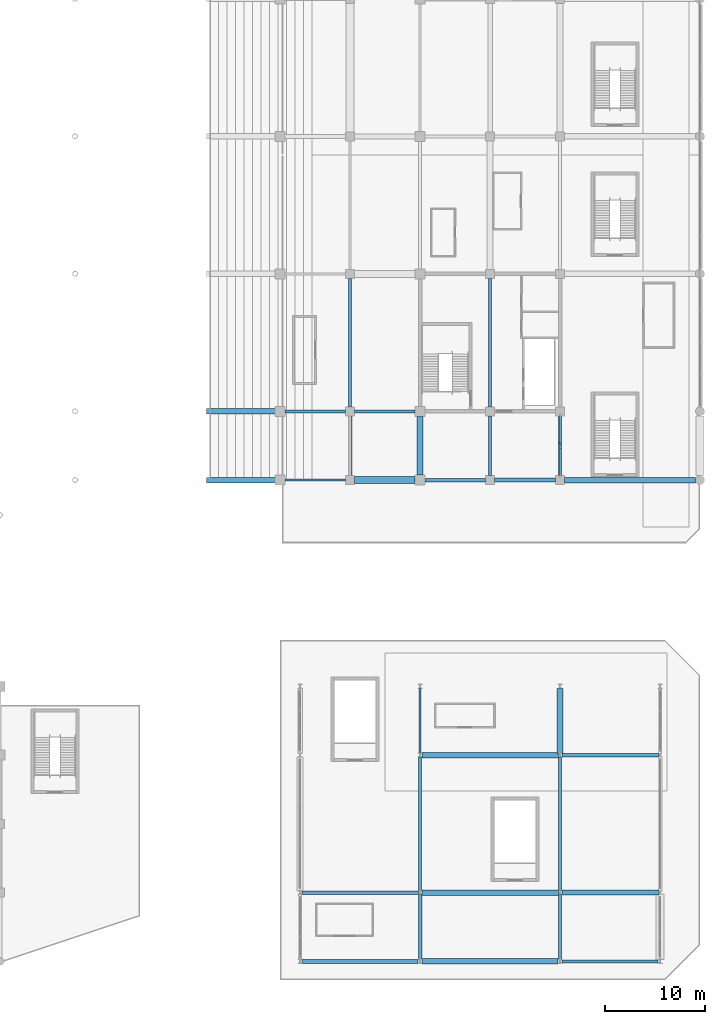
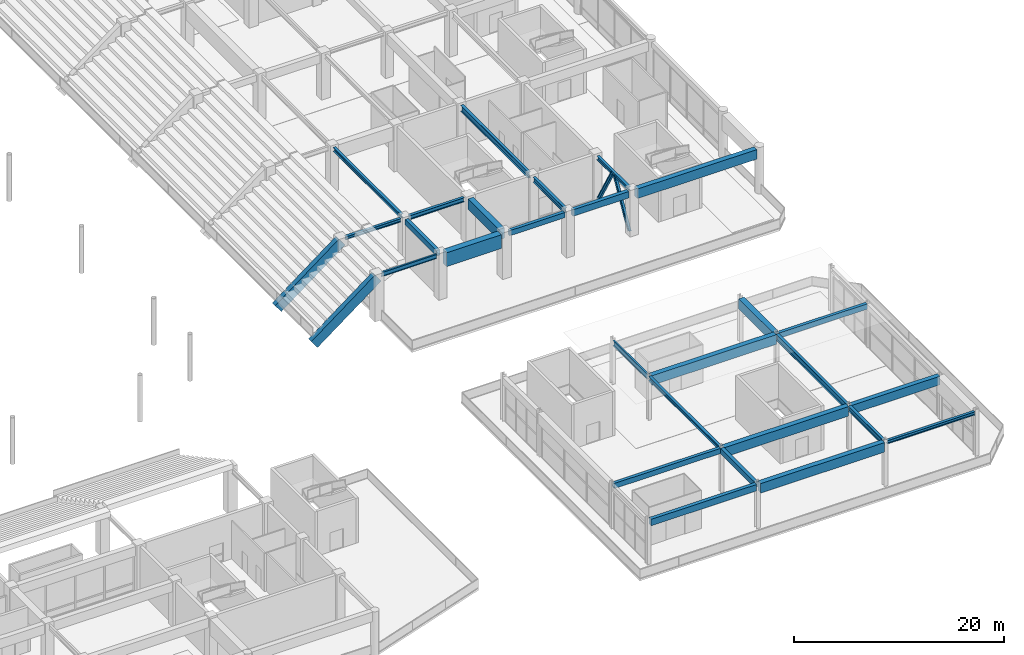
# One storey, part 51 of 117: 29 beams, 2 members.
"""IFC4 building model written with IfcOpenShell, lengths in metres."""

from ifc_helpers import new_model, si_unit, direction, frame, origin, origin_2d, place, context, subcontext, project, spatial, rectangle, i_section, extrude, material, material_profile, profile_set, type_object, element, save


model = new_model("IFC4")

# Units and contexts
model_context = context("Model", 3, precision=1e-05, world=origin(), true_north=direction((0.0, 1.0)))
body_context = subcontext(model_context, "Body", "Model", "MODEL_VIEW")
ifc_project = project(units=[si_unit("LENGTHUNIT", "METRE"), si_unit("AREAUNIT", "SQUARE_METRE"), si_unit("VOLUMEUNIT", "CUBIC_METRE"), si_unit("PLANEANGLEUNIT", "RADIAN"), si_unit("MASSUNIT", "GRAM", prefix="KILO")], contexts=[model_context])

# Site, building, storey
site_placement = place(None, origin())
site = spatial("IfcSite", under=ifc_project, at=site_placement, CompositionType="ELEMENT")
building_placement = place(site_placement, origin())
building = spatial("IfcBuilding", under=site, at=building_placement, Name="Linyun Crest Stadium", CompositionType="ELEMENT")
storey_placement = place(building_placement, frame((0.0, 0.0, 6.0)))
storey = spatial("IfcBuildingStorey", under=building, at=storey_placement, Name="L02", CompositionType="ELEMENT", Elevation=6.0)

# Beams
ifc_material_1 = material(Name="Concrete C40", Category="concrete")
ifc_material_profile_1 = material_profile(ifc_material_1, rectangle(XDim=0.35009765625, YDim=0.60009765625, at=origin_2d()), Name="RCB 600x350")
ifc_profile_set_1 = profile_set([ifc_material_profile_1], Name="Concrete C40")
beam_type_1 = type_object("IfcBeamType", Name="B01", PredefinedType="BEAM", material=ifc_profile_set_1)
beam_1_placement = place(storey_placement, frame((70.5, -46.0, 4.85009765625), z_axis=(1.0, 0.0, 0.0), x_axis=(0.0, 1.0, 0.0)))
element("IfcBeam", 1, at=beam_1_placement, inside=storey, type_object=beam_type_1, Name="Frame beam B01 L02 550", PredefinedType="BEAM", context=body_context, shape_type="SweptSolid", body=[
    extrude(rectangle(XDim=0.35009765625, YDim=0.60009765625, at=origin_2d()), origin(), (0.0, 0.0, 1.0), 6.050048828125),
])
beam_2_placement = place(storey_placement, frame((58.175048828125, -87.25, 4.85009765625), z_axis=(1.0, 0.0, 0.0), x_axis=(0.0, 1.0, 0.0)))
element("IfcBeam", 2, at=beam_2_placement, inside=storey, type_object=beam_type_1, Name="Frame beam B01 L02 1090", PredefinedType="BEAM", context=body_context, shape_type="SweptSolid", body=[
    extrude(rectangle(XDim=0.35009765625, YDim=0.60009765625, at=origin_2d()), origin(), (0.0, 0.0, 1.0), 11.64990234375),
])
beam_3_placement = place(storey_placement, frame((84.175048828125, -73.5, 4.85009765625), z_axis=(1.0, 0.0, 0.0), x_axis=(0.0, 1.0, 0.0)))
element("IfcBeam", 3, at=beam_3_placement, inside=storey, type_object=beam_type_1, Name="Frame beam B01 L02 1097", PredefinedType="BEAM", context=body_context, shape_type="SweptSolid", body=[
    extrude(rectangle(XDim=0.35009765625, YDim=0.60009765625, at=origin_2d()), origin(), (0.0, 0.0, 1.0), 9.699951171875),
])
ifc_material_2 = material(Name="Concrete C40", Category="concrete")
ifc_material_profile_2 = material_profile(ifc_material_2, rectangle(XDim=0.35009765625, YDim=0.64990234375, at=origin_2d()), Name="RCB 650x350")
ifc_profile_set_2 = profile_set([ifc_material_profile_2], Name="Concrete C40")
beam_type_2 = type_object("IfcBeamType", Name="B02", PredefinedType="BEAM", material=ifc_profile_set_2)
beam_4_placement = place(storey_placement, frame((63.0, -45.550048828125, 4.824951171875), z_axis=(0.0, 1.0, 0.0), x_axis=(-1.0, 0.0, 0.0)))
element("IfcBeam", 4, at=beam_4_placement, inside=storey, type_object=beam_type_2, Name="Frame beam B02 L02 577", PredefinedType="BEAM", context=body_context, shape_type="SweptSolid", body=[
    extrude(rectangle(XDim=0.35009765625, YDim=0.64990234375, at=origin_2d()), origin(), (0.0, 0.0, 1.0), 5.97509765625),
])
beam_5_placement = place(storey_placement, frame((70.0, -93.925048828125, 4.824951171875), z_axis=(0.0, 1.0, 0.0), x_axis=(-1.0, 0.0, 0.0)))
element("IfcBeam", 5, at=beam_5_placement, inside=storey, type_object=beam_type_2, Name="Frame beam B02 L02 1113", PredefinedType="BEAM", context=body_context, shape_type="SweptSolid", body=[
    extrude(rectangle(XDim=0.35009765625, YDim=0.64990234375, at=origin_2d()), origin(), (0.0, 0.0, 1.0), 6.5),
])
ifc_material_3 = material(Name="Concrete C40", Category="concrete")
ifc_material_profile_3 = material_profile(ifc_material_3, rectangle(XDim=0.39990234375, YDim=0.75, at=origin_2d()), Name="RCB 750x400")
ifc_profile_set_3 = profile_set([ifc_material_profile_3], Name="Concrete C40")
beam_type_3 = type_object("IfcBeamType", Name="B03", PredefinedType="BEAM", material=ifc_profile_set_3)
beam_6_placement = place(storey_placement, frame((77.449951171875, -46.0, 4.77490234375), z_axis=(1.0, 0.0, 0.0), x_axis=(0.0, 1.0, 0.0)))
element("IfcBeam", 6, at=beam_6_placement, inside=storey, type_object=beam_type_3, Name="Frame beam B03 L02 551", PredefinedType="BEAM", context=body_context, shape_type="SweptSolid", body=[
    extrude(rectangle(XDim=0.39990234375, YDim=0.75, at=origin_2d()), origin(), (0.0, 0.0, 1.0), 6.10009765625),
])
beam_7_placement = place(storey_placement, frame((58.199951171875, -94.125, 4.77490234375), z_axis=(1.0, 0.0, 0.0), x_axis=(0.0, 1.0, 0.0)))
element("IfcBeam", 7, at=beam_7_placement, inside=storey, type_object=beam_type_3, Name="Frame beam B03 L02 1084", PredefinedType="BEAM", context=body_context, shape_type="SweptSolid", body=[
    extrude(rectangle(XDim=0.39990234375, YDim=0.75, at=origin_2d()), origin(), (0.0, 0.0, 1.0), 11.60009765625),
])
ifc_material_4 = material(Name="Concrete C40", Category="concrete")
ifc_material_profile_4 = material_profile(ifc_material_4, rectangle(XDim=0.5, YDim=1.0, at=origin_2d()), Name="RCB 1000x500")
ifc_profile_set_4 = profile_set([ifc_material_profile_4], Name="Concrete C40")
beam_type_4 = type_object("IfcBeamType", Name="B05", PredefinedType="BEAM", material=ifc_profile_set_4)
beam_8_placement = place(storey_placement, frame((84.175048828125, -87.25, 4.64990234375), z_axis=(1.0, 0.0, 0.0), x_axis=(0.0, 1.0, 0.0)))
element("IfcBeam", 8, at=beam_8_placement, inside=storey, type_object=beam_type_4, Name="Frame beam B05 L02 1092", PredefinedType="BEAM", context=body_context, shape_type="SweptSolid", body=[
    extrude(rectangle(XDim=0.5, YDim=1.0, at=origin_2d()), origin(), (0.0, 0.0, 1.0), 9.699951171875),
])
ifc_material_5 = material(Name="Steel Q355C", Category="steel")
ifc_material_profile_5 = material_profile(ifc_material_5, i_section(OverallWidth=0.300048828125, OverallDepth=0.389892578125, WebThickness=0.010009765625, FlangeThickness=0.01611328125, at=origin_2d()), Name="HM 390x300")
ifc_profile_set_5 = profile_set([ifc_material_profile_5], Name="Steel Q355C")
beam_type_5 = type_object("IfcBeamType", Name="B06", PredefinedType="BEAM", material=ifc_profile_set_5)
beam_9_placement = place(storey_placement, frame((56.5, -39.125, 4.955078125), z_axis=(1.0, 0.0, 0.0), x_axis=(0.0, 1.0, 0.0)))
element("IfcBeam", 9, at=beam_9_placement, inside=storey, type_object=beam_type_5, Name="Frame beam B06 L02 553", PredefinedType="BEAM", context=body_context, shape_type="SweptSolid", body=[
    extrude(i_section(OverallWidth=0.300048828125, OverallDepth=0.389892578125, WebThickness=0.010009765625, FlangeThickness=0.01611328125, at=origin_2d()), origin(), (0.0, 0.0, 1.0), 6.050048828125),
])
beam_10_placement = place(storey_placement, frame((84.199951171875, -94.125, 4.955078125), z_axis=(1.0, 0.0, 0.0), x_axis=(0.0, 1.0, 0.0)))
element("IfcBeam", 10, at=beam_10_placement, inside=storey, type_object=beam_type_5, Name="Frame beam B06 L02 1086", PredefinedType="BEAM", context=body_context, shape_type="SweptSolid", body=[
    extrude(i_section(OverallWidth=0.300048828125, OverallDepth=0.389892578125, WebThickness=0.010009765625, FlangeThickness=0.01611328125, at=origin_2d()), origin(), (0.0, 0.0, 1.0), 9.60009765625),
])
ifc_material_6 = material(Name="Steel Q355C", Category="steel")
ifc_material_profile_6 = material_profile(ifc_material_6, i_section(OverallWidth=0.300048828125, OverallDepth=0.43994140625, WebThickness=0.010986328125, FlangeThickness=0.01806640625, at=origin_2d()), Name="HM 440x300")
ifc_profile_set_6 = profile_set([ifc_material_profile_6], Name="Steel Q355C")
beam_type_6 = type_object("IfcBeamType", Name="B07", PredefinedType="BEAM", material=ifc_profile_set_6)
beam_11_placement = place(storey_placement, frame((63.0, -38.675048828125, 4.929931640625), z_axis=(0.0, 1.0, 0.0), x_axis=(-1.0, 0.0, 0.0)))
element("IfcBeam", 11, at=beam_11_placement, inside=storey, type_object=beam_type_6, Name="Frame beam B07 L02 578", PredefinedType="BEAM", context=body_context, shape_type="SweptSolid", body=[
    extrude(i_section(OverallWidth=0.300048828125, OverallDepth=0.43994140625, WebThickness=0.010986328125, FlangeThickness=0.01806640625, at=origin_2d()), origin(), (0.0, 0.0, 1.0), 12.85009765625),
])
beam_12_placement = place(storey_placement, frame((84.0, -45.550048828125, 4.929931640625), z_axis=(0.0, 1.0, 0.0), x_axis=(-1.0, 0.0, 0.0)))
element("IfcBeam", 12, at=beam_12_placement, inside=storey, type_object=beam_type_6, Name="Frame beam B07 L02 595", PredefinedType="BEAM", context=body_context, shape_type="SweptSolid", body=[
    extrude(i_section(OverallWidth=0.300048828125, OverallDepth=0.43994140625, WebThickness=0.010986328125, FlangeThickness=0.01806640625, at=origin_2d()), origin(), (0.0, 0.0, 1.0), 5.97509765625),
])
beam_13_placement = place(storey_placement, frame((70.0, -87.074951171875, 4.929931640625), z_axis=(0.0, 1.0, 0.0), x_axis=(-1.0, 0.0, 0.0)))
element("IfcBeam", 13, at=beam_13_placement, inside=storey, type_object=beam_type_6, Name="Frame beam B07 L02 1114", PredefinedType="BEAM", context=body_context, shape_type="SweptSolid", body=[
    extrude(i_section(OverallWidth=0.300048828125, OverallDepth=0.43994140625, WebThickness=0.010986328125, FlangeThickness=0.01806640625, at=origin_2d()), origin(), (0.0, 0.0, 1.0), 13.39990234375),
])
ifc_material_7 = material(Name="Steel Q355C", Category="steel")
ifc_material_profile_7 = material_profile(ifc_material_7, i_section(OverallWidth=0.300048828125, OverallDepth=0.488037109375, WebThickness=0.010986328125, FlangeThickness=0.01806640625, at=origin_2d()), Name="HM 488x300")
ifc_profile_set_7 = profile_set([ifc_material_profile_7], Name="Steel Q355C")
beam_type_7 = type_object("IfcBeamType", Name="B08", PredefinedType="BEAM", material=ifc_profile_set_7)
beam_14_placement = place(storey_placement, frame((63.449951171875, -39.125, 4.906005859375), z_axis=(1.0, 0.0, 0.0), x_axis=(0.0, 1.0, 0.0)))
element("IfcBeam", 14, at=beam_14_placement, inside=storey, type_object=beam_type_7, Name="Frame beam B08 L02 554", PredefinedType="BEAM", context=body_context, shape_type="SweptSolid", body=[
    extrude(i_section(OverallWidth=0.300048828125, OverallDepth=0.488037109375, WebThickness=0.010986328125, FlangeThickness=0.01806640625, at=origin_2d()), origin(), (0.0, 0.0, 1.0), 6.050048828125),
])
ifc_material_8 = material(Name="Steel Q355C", Category="steel")
ifc_material_profile_8 = material_profile(ifc_material_8, i_section(OverallWidth=0.300048828125, OverallDepth=0.587890625, WebThickness=0.011962890625, FlangeThickness=0.02001953125, at=origin_2d()), Name="HM 588x300")
ifc_profile_set_8 = profile_set([ifc_material_profile_8], Name="Steel Q355C")
beam_type_8 = type_object("IfcBeamType", Name="B09", PredefinedType="BEAM", material=ifc_profile_set_8)
beam_15_placement = place(storey_placement, frame((77.0, -45.550048828125, 4.85595703125), z_axis=(0.0, 1.0, 0.0), x_axis=(-1.0, 0.0, 0.0)))
element("IfcBeam", 15, at=beam_15_placement, inside=storey, type_object=beam_type_8, Name="Frame beam B09 L02 588", PredefinedType="BEAM", context=body_context, shape_type="SweptSolid", body=[
    extrude(i_section(OverallWidth=0.300048828125, OverallDepth=0.587890625, WebThickness=0.011962890625, FlangeThickness=0.02001953125, at=origin_2d()), origin(), (0.0, 0.0, 1.0), 5.97509765625),
])
beam_16_placement = place(storey_placement, frame((84.0, -93.925048828125, 4.85595703125), z_axis=(0.0, 1.0, 0.0), x_axis=(-1.0, 0.0, 0.0)))
element("IfcBeam", 16, at=beam_16_placement, inside=storey, type_object=beam_type_8, Name="Frame beam B09 L02 1116", PredefinedType="BEAM", context=body_context, shape_type="SweptSolid", body=[
    extrude(i_section(OverallWidth=0.300048828125, OverallDepth=0.587890625, WebThickness=0.011962890625, FlangeThickness=0.02001953125, at=origin_2d()), origin(), (0.0, 0.0, 1.0), 6.5),
])
ifc_material_9 = material(Name="Steel Q355C", Category="steel")
ifc_material_profile_9 = material_profile(ifc_material_9, i_section(OverallWidth=0.199951171875, OverallDepth=0.5, WebThickness=0.010009765625, FlangeThickness=0.01611328125, at=origin_2d()), Name="HN 500x200")
ifc_profile_set_9 = profile_set([ifc_material_profile_9], Name="Steel Q355C")
beam_type_9 = type_object("IfcBeamType", Name="B10", PredefinedType="BEAM", material=ifc_profile_set_9)
beam_17_placement = place(storey_placement, frame((56.5, -46.0, 4.89990234375), z_axis=(1.0, 0.0, 0.0), x_axis=(0.0, 1.0, 0.0)))
element("IfcBeam", 17, at=beam_17_placement, inside=storey, type_object=beam_type_9, Name="Frame beam B10 L02 548", PredefinedType="BEAM", context=body_context, shape_type="SweptSolid", body=[
    extrude(i_section(OverallWidth=0.199951171875, OverallDepth=0.5, WebThickness=0.010009765625, FlangeThickness=0.01611328125, at=origin_2d()), origin(), (0.0, 0.0, 1.0), 6.050048828125),
])
ifc_material_10 = material(Name="Steel Q355C", Category="steel")
ifc_material_profile_10 = material_profile(ifc_material_10, i_section(OverallWidth=0.199951171875, OverallDepth=0.60009765625, WebThickness=0.010986328125, FlangeThickness=0.01708984375, at=origin_2d()), Name="HN 600x200")
ifc_profile_set_10 = profile_set([ifc_material_profile_10], Name="Steel Q355C")
beam_type_10 = type_object("IfcBeamType", Name="B11", PredefinedType="BEAM", material=ifc_profile_set_10)
beam_18_placement = place(storey_placement, frame((70.0, -73.324951171875, 4.85009765625), z_axis=(0.0, 1.0, 0.0), x_axis=(-1.0, 0.0, 0.0)))
element("IfcBeam", 18, at=beam_18_placement, inside=storey, type_object=beam_type_10, Name="Frame beam B11 L02 1115", PredefinedType="BEAM", context=body_context, shape_type="SweptSolid", body=[
    extrude(i_section(OverallWidth=0.199951171875, OverallDepth=0.60009765625, WebThickness=0.010986328125, FlangeThickness=0.01708984375, at=origin_2d()), origin(), (0.0, 0.0, 1.0), 6.5),
])
ifc_material_11 = material(Name="Steel Q355C", Category="steel")
ifc_material_profile_11 = material_profile(ifc_material_11, i_section(OverallWidth=0.300048828125, OverallDepth=0.699951171875, WebThickness=0.012939453125, FlangeThickness=0.02392578125, at=origin_2d()), Name="HN 700x300")
ifc_profile_set_11 = profile_set([ifc_material_profile_11], Name="Steel Q355C")
beam_type_11 = type_object("IfcBeamType", Name="B12", PredefinedType="BEAM", material=ifc_profile_set_11)
beam_19_placement = place(storey_placement, frame((77.0, -38.675048828125, 4.800048828125), z_axis=(0.0, 1.0, 0.0), x_axis=(-1.0, 0.0, 0.0)))
element("IfcBeam", 19, at=beam_19_placement, inside=storey, type_object=beam_type_11, Name="Frame beam B12 L02 589", PredefinedType="BEAM", context=body_context, shape_type="SweptSolid", body=[
    extrude(i_section(OverallWidth=0.300048828125, OverallDepth=0.699951171875, WebThickness=0.012939453125, FlangeThickness=0.02392578125, at=origin_2d()), origin(), (0.0, 0.0, 1.0), 12.85009765625),
])
beam_20_placement = place(storey_placement, frame((84.0, -87.074951171875, 4.800048828125), z_axis=(0.0, 1.0, 0.0), x_axis=(-1.0, 0.0, 0.0)))
element("IfcBeam", 20, at=beam_20_placement, inside=storey, type_object=beam_type_11, Name="Frame beam B12 L02 1117", PredefinedType="BEAM", context=body_context, shape_type="SweptSolid", body=[
    extrude(i_section(OverallWidth=0.300048828125, OverallDepth=0.699951171875, WebThickness=0.012939453125, FlangeThickness=0.02392578125, at=origin_2d()), origin(), (0.0, 0.0, 1.0), 13.39990234375),
])
ifc_material_12 = material(Name="Concrete C50", Category="concrete")
ifc_material_profile_12 = material_profile(ifc_material_12, rectangle(XDim=0.699951171875, YDim=1.60009765625, at=origin_2d()), Name="RCB 1600x700")
ifc_profile_set_12 = profile_set([ifc_material_profile_12], Name="Concrete C50")
beam_type_12 = type_object("IfcBeamType", Name="B13", PredefinedType="BEAM", material=ifc_profile_set_12)
beam_21_placement = place(storey_placement, frame((63.449951171875, -46.0, 4.35009765625), z_axis=(1.0, 0.0, 0.0), x_axis=(0.0, 1.0, 0.0)))
element("IfcBeam", 21, at=beam_21_placement, inside=storey, type_object=beam_type_12, Name="Frame beam B13 L02 549", PredefinedType="BEAM", context=body_context, shape_type="SweptSolid", body=[
    extrude(rectangle(XDim=0.699951171875, YDim=1.60009765625, at=origin_2d()), origin(), (0.0, 0.0, 1.0), 6.050048828125),
])

# Members
ifc_material_13 = material(Name="Steel Q355C", Category="steel")
ifc_material_profile_13 = material_profile(ifc_material_13, i_section(OverallWidth=0.25, OverallDepth=0.340087890625, WebThickness=0.009033203125, FlangeThickness=0.013916015625, at=origin_2d()), Name="HM 340x250")
ifc_profile_set_13 = profile_set([ifc_material_profile_13], Name="Steel Q355C")
member_type = type_object("IfcMemberType", Name="BR02", PredefinedType="BRACE", material=ifc_profile_set_13)
member_1_placement = place(storey_placement, frame((84.0, -45.550048828125, 0.0), z_axis=(0.0, 0.498576308369, 0.866845813702), x_axis=(-1.0, 0.0, 0.0)))
element("IfcMember", 22, at=member_1_placement, inside=storey, type_object=member_type, Name="Frame brace BR02 L02 11", PredefinedType="BRACE", context=body_context, shape_type="SweptSolid", body=[
    extrude(i_section(OverallWidth=0.25, OverallDepth=0.340087890625, WebThickness=0.009033203125, FlangeThickness=0.013916015625, at=origin_2d()), origin(), (0.0, 0.0, 1.0), 5.712646484375),
])
member_2_placement = place(storey_placement, frame((84.0, -39.574951171875, 0.0), z_axis=(0.0, -0.498447836249, 0.866919693246), x_axis=(1.0, 0.0, 0.0)))
element("IfcMember", 23, at=member_2_placement, inside=storey, type_object=member_type, Name="Frame brace BR02 L02 12", PredefinedType="BRACE", context=body_context, shape_type="SweptSolid", body=[
    extrude(i_section(OverallWidth=0.25, OverallDepth=0.340087890625, WebThickness=0.009033203125, FlangeThickness=0.013916015625, at=origin_2d()), origin(), (0.0, 0.0, 1.0), 5.712158203125),
])

# Beams
ifc_material_14 = material(Name="Precast concrete C50", Category="concrete")
ifc_material_profile_14 = material_profile(ifc_material_14, rectangle(XDim=0.550048828125, YDim=1.14990234375, at=origin_2d()), Name="PCR 1150x550")
ifc_profile_set_14 = profile_set([ifc_material_profile_14], Name="Precast concrete C50")
beam_type_13 = type_object("IfcBeamType", Name="RB02", PredefinedType="USERDEFINED", material=ifc_profile_set_14)
for number, where, z_axis, x_axis, name in (
    (24, (49.0, -46.0, -0.47998046875), (0.798353067066, 0.0, 0.602189654765), (0.0, 1.0, 0.0), "Precast raker beam RB02 V2 6"),
    (25, (49.0, -39.125, -0.47998046875), (0.798353067066, 0.0, 0.602189654765), (0.0, 1.0, 0.0), "Precast raker beam RB02 V2 14"),
):
    element("IfcBeam", number, at=place(storey_placement, frame(where, z_axis=z_axis, x_axis=x_axis)), inside=storey, type_object=beam_type_13, Name=name, ObjectType="RAKER", PredefinedType="USERDEFINED", context=body_context, shape_type="SweptSolid", body=[
        extrude(rectangle(XDim=0.550048828125, YDim=1.14990234375, at=origin_2d()), origin(), (0.0, 0.0, 1.0), 8.76806640625),
    ])
ifc_material_15 = material(Name="Concrete C50", Category="concrete")
ifc_material_profile_15 = material_profile(ifc_material_15, rectangle(XDim=0.550048828125, YDim=1.10009765625, at=origin_2d()), Name="RCB 1100x550")
ifc_profile_set_15 = profile_set([ifc_material_profile_15], Name="Concrete C50")
beam_type_14 = type_object("IfcBeamType", Name="TB01", PredefinedType="USERDEFINED", material=ifc_profile_set_15)
beam_22_placement = place(storey_placement, frame((84.449951171875, -46.0, 4.60009765625), z_axis=(1.0, 0.0, 0.0), x_axis=(0.0, 1.0, 0.0)))
element("IfcBeam", 26, at=beam_22_placement, inside=storey, type_object=beam_type_14, Name="Frame beam TB01 L02 552", ObjectType="GIRDER", PredefinedType="USERDEFINED", context=body_context, shape_type="SweptSolid", body=[
    extrude(rectangle(XDim=0.550048828125, YDim=1.10009765625, at=origin_2d()), origin(), (0.0, 0.0, 1.0), 13.10009765625),
])
beam_23_placement = place(storey_placement, frame((70.199951171875, -94.125, 4.60009765625), z_axis=(1.0, 0.0, 0.0), x_axis=(0.0, 1.0, 0.0)))
element("IfcBeam", 27, at=beam_23_placement, inside=storey, type_object=beam_type_14, Name="Frame beam TB01 L02 1085", ObjectType="GIRDER", PredefinedType="USERDEFINED", context=body_context, shape_type="SweptSolid", body=[
    extrude(rectangle(XDim=0.550048828125, YDim=1.10009765625, at=origin_2d()), origin(), (0.0, 0.0, 1.0), 13.60009765625),
])
for number, where, z_axis, x_axis, name in (
    (28, (70.175048828125, -87.25, 4.60009765625), (1.0, 0.0, 0.0), (0.0, 1.0, 0.0), "Frame beam TB01 L02 1091"),
    (29, (70.175048828125, -73.5, 4.60009765625), (1.0, 0.0, 0.0), (0.0, 1.0, 0.0), "Frame beam TB01 L02 1096"),
):
    element("IfcBeam", number, at=place(storey_placement, frame(where, z_axis=z_axis, x_axis=x_axis)), inside=storey, type_object=beam_type_14, Name=name, ObjectType="GIRDER", PredefinedType="USERDEFINED", context=body_context, shape_type="SweptSolid", body=[
        extrude(rectangle(XDim=0.550048828125, YDim=1.10009765625, at=origin_2d()), origin(), (0.0, 0.0, 1.0), 13.64990234375),
    ])
ifc_material_16 = material(Name="Concrete C50", Category="concrete")
ifc_material_profile_16 = material_profile(ifc_material_16, rectangle(XDim=0.60009765625, YDim=1.199951171875, at=origin_2d()), Name="RCB 1200x600")
ifc_profile_set_16 = profile_set([ifc_material_profile_16], Name="Concrete C50")
beam_type_15 = type_object("IfcBeamType", Name="TB02", PredefinedType="USERDEFINED", material=ifc_profile_set_16)
beam_24_placement = place(storey_placement, frame((70.0, -45.5, 4.550048828125), z_axis=(0.0, 1.0, 0.0), x_axis=(-1.0, 0.0, 0.0)))
element("IfcBeam", 30, at=beam_24_placement, inside=storey, type_object=beam_type_15, Name="Frame beam TB02 L02 584", ObjectType="GIRDER", PredefinedType="USERDEFINED", context=body_context, shape_type="SweptSolid", body=[
    extrude(rectangle(XDim=0.60009765625, YDim=1.199951171875, at=origin_2d()), origin(), (0.0, 0.0, 1.0), 5.875),
])
beam_25_placement = place(storey_placement, frame((84.0, -73.324951171875, 4.550048828125), z_axis=(0.0, 1.0, 0.0), x_axis=(-1.0, 0.0, 0.0)))
element("IfcBeam", 31, at=beam_25_placement, inside=storey, type_object=beam_type_15, Name="Frame beam TB02 L02 1118", ObjectType="GIRDER", PredefinedType="USERDEFINED", context=body_context, shape_type="SweptSolid", body=[
    extrude(rectangle(XDim=0.60009765625, YDim=1.199951171875, at=origin_2d()), origin(), (0.0, 0.0, 1.0), 6.5),
])

save(model, "model.ifc")
